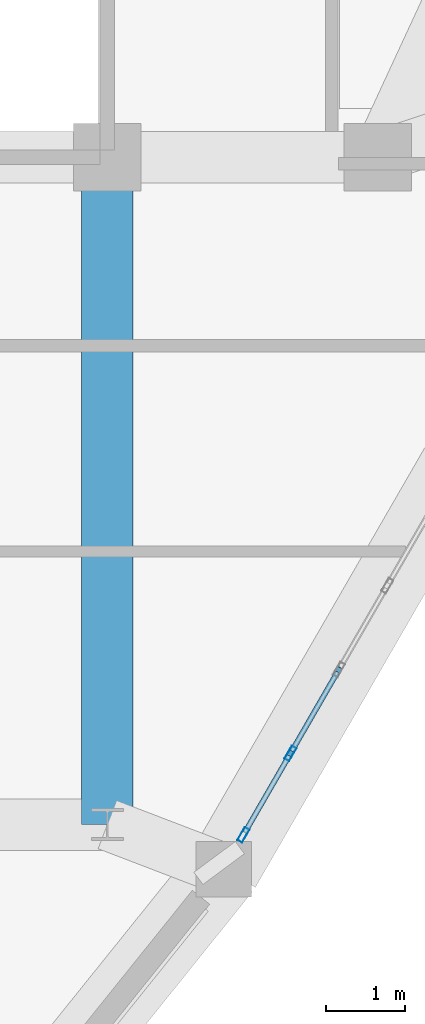
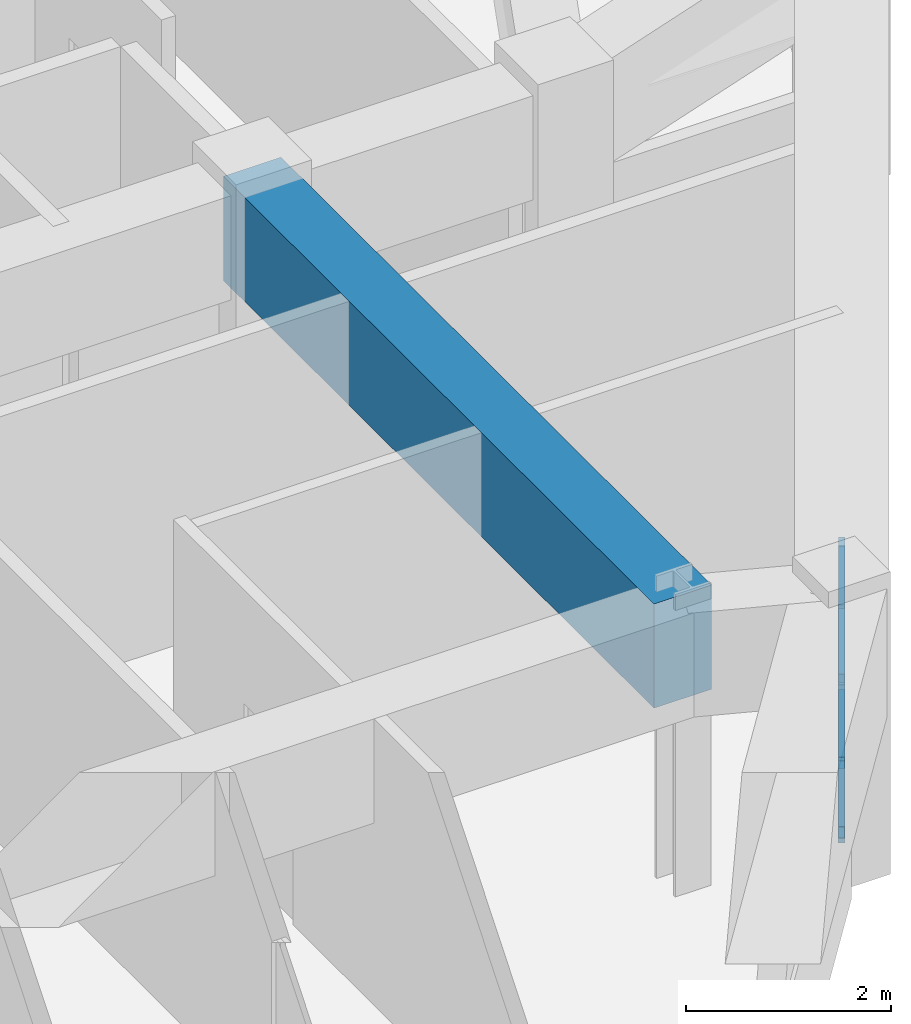
# One storey, part 4 of 16: 7 members, 1 beam, 1 element without a shape of its own.
"""IFC4 building model written with IfcOpenShell, lengths in metres."""

from ifc_helpers import new_model, si_unit, derived_unit, direction, frame, origin, origin_2d, place, context, subcontext, project, spatial, rectangle, hollow_rectangle, extrude, source, transform, mapped, material, layer, layer_set, material_profile, profile_set, type_object, element, aggregate, save


model = new_model("IFC4")

# Units and contexts
model_context = context("Model", 3, precision=1e-05, world=origin(), true_north=direction((0.0, 1.0)))
body_context = subcontext(model_context, "Body", "Model", "MODEL_VIEW")
ifc_project = project(units=[si_unit("LENGTHUNIT", "METRE"), si_unit("AREAUNIT", "SQUARE_METRE"), si_unit("VOLUMEUNIT", "CUBIC_METRE"), si_unit("PLANEANGLEUNIT", "RADIAN"), si_unit("MASSUNIT", "GRAM", prefix="KILO"), derived_unit("THERMALTRANSMITTANCEUNIT", [(si_unit("POWERUNIT", "WATT"), 1), (si_unit("LENGTHUNIT", "METRE"), -2), (si_unit("THERMODYNAMICTEMPERATUREUNIT", "KELVIN"), -1)])], contexts=[model_context])

# Site, building, storey
site_placement = place(None, origin())
site = spatial("IfcSite", under=ifc_project, at=site_placement, CompositionType="ELEMENT")
building_placement = place(site_placement, origin())
building = spatial("IfcBuilding", under=site, at=building_placement, Name="Korsvarv Bourse and Concert Hall", CompositionType="ELEMENT")
storey_placement = place(building_placement, frame((0.0, 0.0, 261.0)))
storey = spatial("IfcBuildingStorey", under=building, at=storey_placement, Name="L68", CompositionType="ELEMENT", Elevation=261.0)

# Beam
ifc_material_1 = material(Name="Concrete C50/60", Category="concrete")
ifc_material_profile_1 = material_profile(ifc_material_1, rectangle(XDim=0.64990234375, YDim=1.239990234375, at=origin_2d()), Name="RC-BM 650x1240")
ifc_profile_set_1 = profile_set([ifc_material_profile_1], Name="Concrete C50/60")
beam_type = type_object("IfcBeamType", Name="BM-TR-SPN", PredefinedType="BEAM", material=ifc_profile_set_1)
shared_shape_1 = source(origin(), body_context, "Body", "SweptSolid", [
    extrude(rectangle(XDim=0.64990234375, YDim=1.239990234375, at=origin_2d()), origin(), (0.0, 0.0, 1.0), 8.39990234375),
])
beam_placement = place(storey_placement, frame((44.39990234375, 24.0, 2.7900390625), z_axis=(0.0, 1.0, 0.0), x_axis=(-1.0, 0.0, 0.0)))
element("IfcBeam", 1, at=beam_placement, inside=storey, type_object=beam_type, Name="L68 beam B-TRS", PredefinedType="BEAM", context=body_context, shape_type="MappedRepresentation", body=[
    mapped(shared_shape_1, transform((0.0, 0.0, 0.0), scale=1.0)),
])

# Curtain wall, members
ifc_material_2 = material(Name="Anodised aluminium and triple low-E glazing", Category="glass")
ifc_layer = layer(ifc_material_2, 0.199951171875)
ifc_layer_set = layer_set([ifc_layer], Name="Anodised aluminium and triple low-E glazing")
curtain_wall_type = type_object("IfcCurtainWallType", Name="CW-SYS-3", PredefinedType="NOTDEFINED", material=ifc_layer_set)
curtain_wall_placement = place(storey_placement, origin())
curtain_wall = element("IfcCurtainWall", 2, at=curtain_wall_placement, inside=storey, type_object=curtain_wall_type, Name="L68 CW3 curtain wall CW-L68-F11", PredefinedType="NOTDEFINED")
ifc_material_3 = material(Name="Extruded aluminium EN AW-6063 T66", Category="aluminium")
ifc_material_profile_2 = material_profile(ifc_material_3, hollow_rectangle(XDim=0.06494140625, YDim=0.139892578125, WallThickness=0.00390625, at=origin_2d()), Name="ALU-T 65x140")
ifc_profile_set_2 = profile_set([ifc_material_profile_2], Name="Extruded aluminium EN AW-6063 T66")
member_type_1 = type_object("IfcMemberType", Name="CWT-140", PredefinedType="USERDEFINED", material=ifc_profile_set_2)
shared_shape_2 = source(origin(), body_context, "Body", "SweptSolid", [
    extrude(hollow_rectangle(XDim=0.06494140625, YDim=0.139892578125, WallThickness=0.00390625, at=origin_2d()), origin(), (0.0, 0.0, 1.0), 1.113525390625),
])
member_1_placement = place(storey_placement, frame((46.1298828125, 23.900146484375, 0.032470703125), z_axis=(0.500076692731, 0.865981120687, 0.0), x_axis=(-0.865981120687, 0.500076692731, 0.0)))
member_1 = element("IfcMember", 3, at=member_1_placement, type_object=member_type_1, Name="CW3 transom 1.1", ObjectType="TRANSOM", PredefinedType="USERDEFINED", context=body_context, shape_type="MappedRepresentation", body=[
    mapped(shared_shape_2, transform((0.0, 0.0, 0.0), scale=1.0)),
])
member_2_placement = place(storey_placement, frame((46.1298828125, 23.900146484375, 1.847412109375), z_axis=(0.500076692731, 0.865981120687, 0.0), x_axis=(-0.865981120687, 0.500076692731, 0.0)))
member_2 = element("IfcMember", 4, at=member_2_placement, type_object=member_type_1, Name="CW3 transom 1.2", ObjectType="TRANSOM", PredefinedType="USERDEFINED", context=body_context, shape_type="MappedRepresentation", body=[
    mapped(shared_shape_2, transform((0.0, 0.0, 0.0), scale=1.0)),
])
shared_shape_3 = source(origin(), body_context, "Body", "SweptSolid", [
    extrude(hollow_rectangle(XDim=0.06494140625, YDim=0.139892578125, WallThickness=0.00390625, at=origin_2d()), origin(), (0.0, 0.0, 1.0), 1.148681640625),
])
member_3_placement = place(storey_placement, frame((46.7216796875, 24.92529296875, 0.032470703125), z_axis=(0.500139482584, 0.865944858499, 0.0), x_axis=(-0.865944858499, 0.500139482584, 0.0)))
member_3 = element("IfcMember", 5, at=member_3_placement, type_object=member_type_1, Name="CW3 transom 2.1", ObjectType="TRANSOM", PredefinedType="USERDEFINED", context=body_context, shape_type="MappedRepresentation", body=[
    mapped(shared_shape_3, transform((0.0, 0.0, 0.0), scale=1.0)),
])
member_4_placement = place(storey_placement, frame((46.7216796875, 24.92529296875, 1.847412109375), z_axis=(0.500139482584, 0.865944858499, 0.0), x_axis=(-0.865944858499, 0.500139482584, 0.0)))
member_4 = element("IfcMember", 6, at=member_4_placement, type_object=member_type_1, Name="CW3 transom 2.2", ObjectType="TRANSOM", PredefinedType="USERDEFINED", context=body_context, shape_type="MappedRepresentation", body=[
    mapped(shared_shape_3, transform((0.0, 0.0, 0.0), scale=1.0)),
])
ifc_material_profile_3 = material_profile(ifc_material_3, hollow_rectangle(XDim=0.070068359375, YDim=0.18994140625, WallThickness=0.0048828125, at=origin_2d()), Name="ALU-M 70x190")
ifc_profile_set_3 = profile_set([ifc_material_profile_3], Name="Extruded aluminium EN AW-6063 T66")
member_type_2 = type_object("IfcMemberType", Name="CWM-190", PredefinedType="MULLION", material=ifc_profile_set_3)
shared_shape_4 = source(origin(), body_context, "Body", "SweptSolid", [
    extrude(hollow_rectangle(XDim=0.070068359375, YDim=0.18994140625, WallThickness=0.0048828125, at=origin_2d()), origin(), (0.0, 0.0, 1.0), 1.8798828125),
])
member_5_placement = place(storey_placement, frame((46.1123046875, 23.869873046875, 0.0), z_axis=(0.0, 0.0, 1.0), x_axis=(-0.866023274265, 0.500003688417, 0.0)))
member_5 = element("IfcMember", 7, at=member_5_placement, type_object=member_type_2, Name="CW3 mullion 1", PredefinedType="MULLION", context=body_context, shape_type="MappedRepresentation", body=[
    mapped(shared_shape_4, transform((0.0, 0.0, 0.0), scale=1.0)),
])
member_6_placement = place(storey_placement, frame((46.7041015625, 24.894775390625, 0.0), z_axis=(0.0, 0.0, 1.0), x_axis=(-0.866023274265, 0.500003688417, 0.0)))
member_6 = element("IfcMember", 8, at=member_6_placement, type_object=member_type_2, Name="CW3 mullion 2", PredefinedType="MULLION", context=body_context, shape_type="MappedRepresentation", body=[
    mapped(shared_shape_4, transform((0.0, 0.0, 0.0), scale=1.0)),
])
ifc_material_profile_4 = material_profile(ifc_material_3, hollow_rectangle(XDim=0.06494140625, YDim=0.1650390625, WallThickness=0.0048828125, at=origin_2d()), Name="ALU-M 65x165")
ifc_profile_set_4 = profile_set([ifc_material_profile_4], Name="Extruded aluminium EN AW-6063 T66")
member_type_3 = type_object("IfcMemberType", Name="CWM-165", PredefinedType="MULLION", material=ifc_profile_set_4)
shared_shape_5 = source(origin(), body_context, "Body", "SweptSolid", [
    extrude(hollow_rectangle(XDim=0.06494140625, YDim=0.1650390625, WallThickness=0.0048828125, at=origin_2d()), origin(), (0.0, 0.0, 1.0), 2.09326171875),
])
member_7_placement = place(storey_placement, frame((46.7216796875, 24.92529296875, 0.06494140625), z_axis=(0.274432781536, 0.475154760722, 0.836011125394), x_axis=(-0.865944858499, 0.500139482584, 0.0)))
member_7 = element("IfcMember", 9, at=member_7_placement, type_object=member_type_3, Name="CW3 diagonal mullion 2", PredefinedType="MULLION", context=body_context, shape_type="MappedRepresentation", body=[
    mapped(shared_shape_5, transform((0.0, 0.0, 0.0), scale=1.0)),
])
aggregate(curtain_wall, [member_5, member_6, member_1, member_2, member_3, member_4, member_7])

save(model, "model.ifc")
